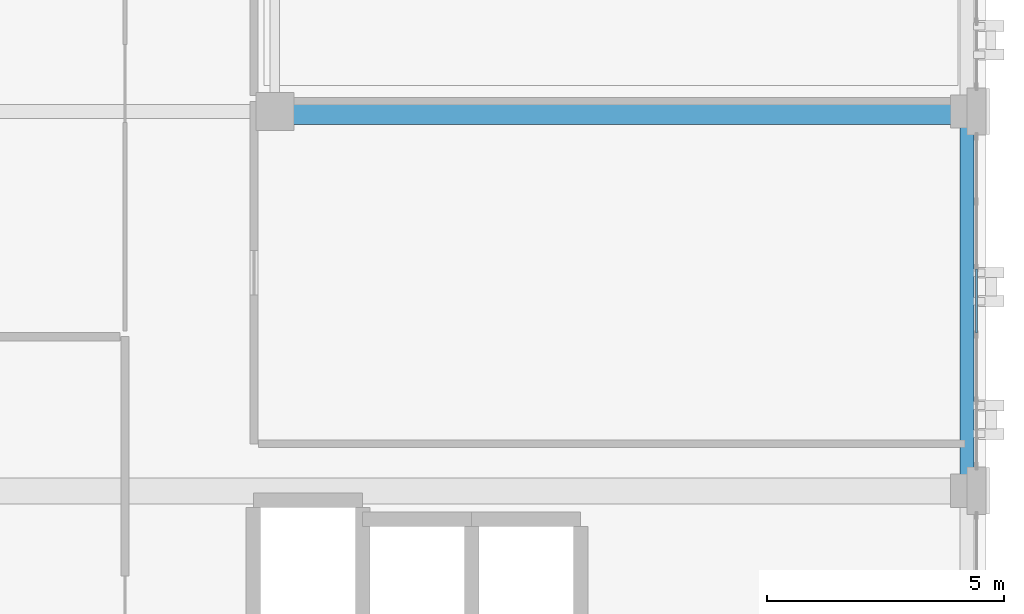
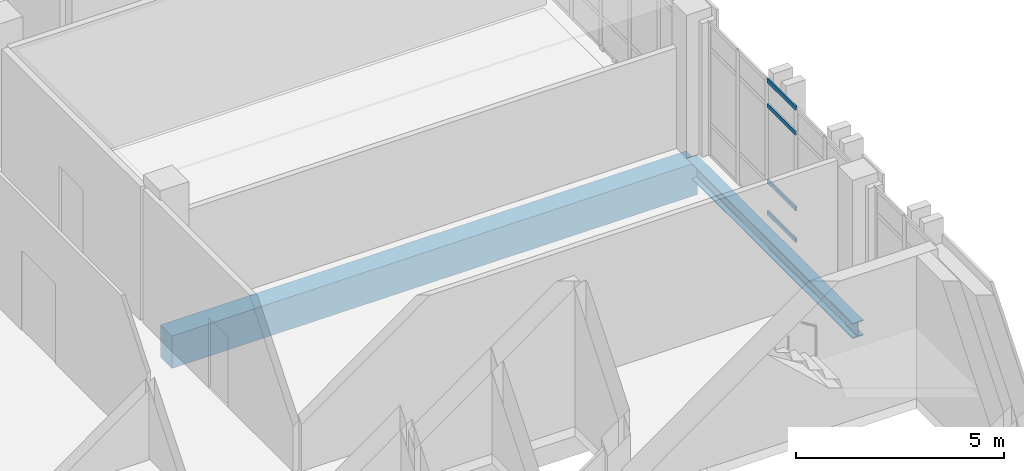
# One storey, part 60 of 158: 4 members, 2 beams, 1 element without a shape of its own.
"""IFC4 building model written with IfcOpenShell, lengths in metres."""

from ifc_helpers import new_model, si_unit, direction, frame, origin, origin_2d, place, context, subcontext, project, spatial, rectangle, hollow_rectangle, i_section, extrude, material, layer, layer_set, material_profile, profile_set, type_object, element, aggregate, save


model = new_model("IFC4")

# Units and contexts
model_context = context("Model", 3, precision=1e-05, world=origin(), true_north=direction((0.0, 1.0)))
body_context = subcontext(model_context, "Body", "Model", "MODEL_VIEW")
ifc_project = project(units=[si_unit("LENGTHUNIT", "METRE"), si_unit("AREAUNIT", "SQUARE_METRE"), si_unit("VOLUMEUNIT", "CUBIC_METRE"), si_unit("PLANEANGLEUNIT", "RADIAN"), si_unit("MASSUNIT", "GRAM", prefix="KILO")], contexts=[model_context])

# Site, building, storey
site_placement = place(None, origin())
site = spatial("IfcSite", under=ifc_project, at=site_placement, CompositionType="ELEMENT")
building_placement = place(site_placement, origin())
building = spatial("IfcBuilding", under=site, at=building_placement, Name="Qalavern Law Courts", CompositionType="ELEMENT")
storey_placement = place(building_placement, frame((0.0, 0.0, 18.60009765625)))
storey = spatial("IfcBuildingStorey", under=building, at=storey_placement, Name="L04", CompositionType="ELEMENT", Elevation=18.60009765625)

# Curtain wall, members
ifc_material_1 = material(Name="Anodised aluminium and insulated glazing", Category="aluminium")
ifc_layer = layer(ifc_material_1, 0.159912109375)
ifc_layer_set = layer_set([ifc_layer], Name="Anodised aluminium and insulated glazing")
curtain_wall_type = type_object("IfcCurtainWallType", Name="ENV-CW-CHAMB", PredefinedType="USERDEFINED", material=ifc_layer_set)
curtain_wall_placement = place(storey_placement, origin())
curtain_wall = element("IfcCurtainWall", 1, at=curtain_wall_placement, inside=storey, type_object=curtain_wall_type, Name="V4 unitised curtain wall L04 east 2", ObjectType="UNITISED CURTAIN WALL", PredefinedType="USERDEFINED")
ifc_material_2 = material(Name="Anodised aluminium", Category="aluminium")
ifc_material_profile_1 = material_profile(ifc_material_2, hollow_rectangle(XDim=0.048095703125, YDim=0.1201171875, WallThickness=0.00390625, at=origin_2d()), Name="ALU TRANSOM 48x120")
ifc_profile_set_1 = profile_set([ifc_material_profile_1], Name="Anodised aluminium")
member_type = type_object("IfcMemberType", Name="ENV-CWT-48x120", PredefinedType="USERDEFINED", material=ifc_profile_set_1)
member_1_placement = place(storey_placement, frame((106.60009765625, 52.72412109375, 0.02392578125), z_axis=(0.0, 1.0, 0.0), x_axis=(-1.0, 0.0, 0.0)))
member_1 = element("IfcMember", 2, at=member_1_placement, type_object=member_type, Name="CW-04 transom 3.1", ObjectType="TRANSOM", PredefinedType="USERDEFINED", context=body_context, shape_type="SweptSolid", body=[
    extrude(hollow_rectangle(XDim=0.048095703125, YDim=0.1201171875, WallThickness=0.00390625, at=origin_2d()), origin(), (0.0, 0.0, 1.0), 1.351806640625),
])
member_2_placement = place(storey_placement, frame((106.60009765625, 52.72412109375, 0.949951171875), z_axis=(0.0, 1.0, 0.0), x_axis=(-1.0, 0.0, 0.0)))
member_2 = element("IfcMember", 3, at=member_2_placement, type_object=member_type, Name="CW-04 transom 3.2", ObjectType="TRANSOM", PredefinedType="USERDEFINED", context=body_context, shape_type="SweptSolid", body=[
    extrude(hollow_rectangle(XDim=0.048095703125, YDim=0.1201171875, WallThickness=0.00390625, at=origin_2d()), origin(), (0.0, 0.0, 1.0), 1.351806640625),
])
member_3_placement = place(storey_placement, frame((106.60009765625, 52.72412109375, 3.1748046875), z_axis=(0.0, 1.0, 0.0), x_axis=(-1.0, 0.0, 0.0)))
member_3 = element("IfcMember", 4, at=member_3_placement, type_object=member_type, Name="CW-04 transom 3.3", ObjectType="TRANSOM", PredefinedType="USERDEFINED", context=body_context, shape_type="SweptSolid", body=[
    extrude(hollow_rectangle(XDim=0.048095703125, YDim=0.1201171875, WallThickness=0.00390625, at=origin_2d()), origin(), (0.0, 0.0, 1.0), 1.351806640625),
])
member_4_placement = place(storey_placement, frame((106.60009765625, 52.72412109375, 3.90087890625), z_axis=(0.0, 1.0, 0.0), x_axis=(-1.0, 0.0, 0.0)))
member_4 = element("IfcMember", 5, at=member_4_placement, type_object=member_type, Name="CW-04 transom 3.4", ObjectType="TRANSOM", PredefinedType="USERDEFINED", context=body_context, shape_type="SweptSolid", body=[
    extrude(hollow_rectangle(XDim=0.048095703125, YDim=0.1201171875, WallThickness=0.00390625, at=origin_2d()), origin(), (0.0, 0.0, 1.0), 1.351806640625),
])
aggregate(curtain_wall, [member_1, member_2, member_3, member_4])

# Beams
ifc_material_3 = material(Name="Concrete C40/50", Category="concrete")
ifc_material_profile_2 = material_profile(ifc_material_3, rectangle(XDim=0.550048828125, YDim=0.949951171875, at=origin_2d()), Name="RC 550x950")
ifc_profile_set_2 = profile_set([ifc_material_profile_2], Name="Concrete C40/50")
beam_type_1 = type_object("IfcBeamType", Name="STR-BM-RC550x950", PredefinedType="BEAM", material=ifc_profile_set_2)
beam_1_placement = place(storey_placement, frame((91.800048828125, 57.39990234375, -0.755126953125), z_axis=(1.0, 0.0, 0.0), x_axis=(0.0, 1.0, 0.0)))
element("IfcBeam", 6, at=beam_1_placement, inside=storey, type_object=beam_type_1, Name="V4 X-beam 3-2 L04", PredefinedType="BEAM", context=body_context, shape_type="SweptSolid", body=[
    extrude(rectangle(XDim=0.550048828125, YDim=0.949951171875, at=origin_2d()), origin(), (0.0, 0.0, 1.0), 14.599853515625),
])
ifc_material_4 = material(Name="Steel S355", Category="steel")
ifc_material_profile_3 = material_profile(ifc_material_4, i_section(OverallWidth=0.300048828125, OverallDepth=0.449951171875, WebThickness=0.013916015625, FlangeThickness=0.02587890625, FilletRadius=0.027099609375, at=origin_2d()), Name="HEB 450")
ifc_profile_set_3 = profile_set([ifc_material_profile_3], Name="Steel S355")
beam_type_2 = type_object("IfcBeamType", Name="STR-SP-HEB450", PredefinedType="SPANDREL", material=ifc_profile_set_3)
beam_2_placement = place(storey_placement, frame((106.39990234375, 49.39990234375, -0.505126953125), z_axis=(0.0, 1.0, 0.0), x_axis=(-1.0, 0.0, 0.0)))
element("IfcBeam", 7, at=beam_2_placement, inside=storey, type_object=beam_type_2, Name="V4 Y-beam 3-2 L04", PredefinedType="SPANDREL", context=body_context, shape_type="SweptSolid", body=[
    extrude(i_section(OverallWidth=0.300048828125, OverallDepth=0.449951171875, WebThickness=0.013916015625, FlangeThickness=0.02587890625, FilletRadius=0.027099609375, at=origin_2d()), origin(), (0.0, 0.0, 1.0), 8.0),
])

save(model, "model.ifc")
